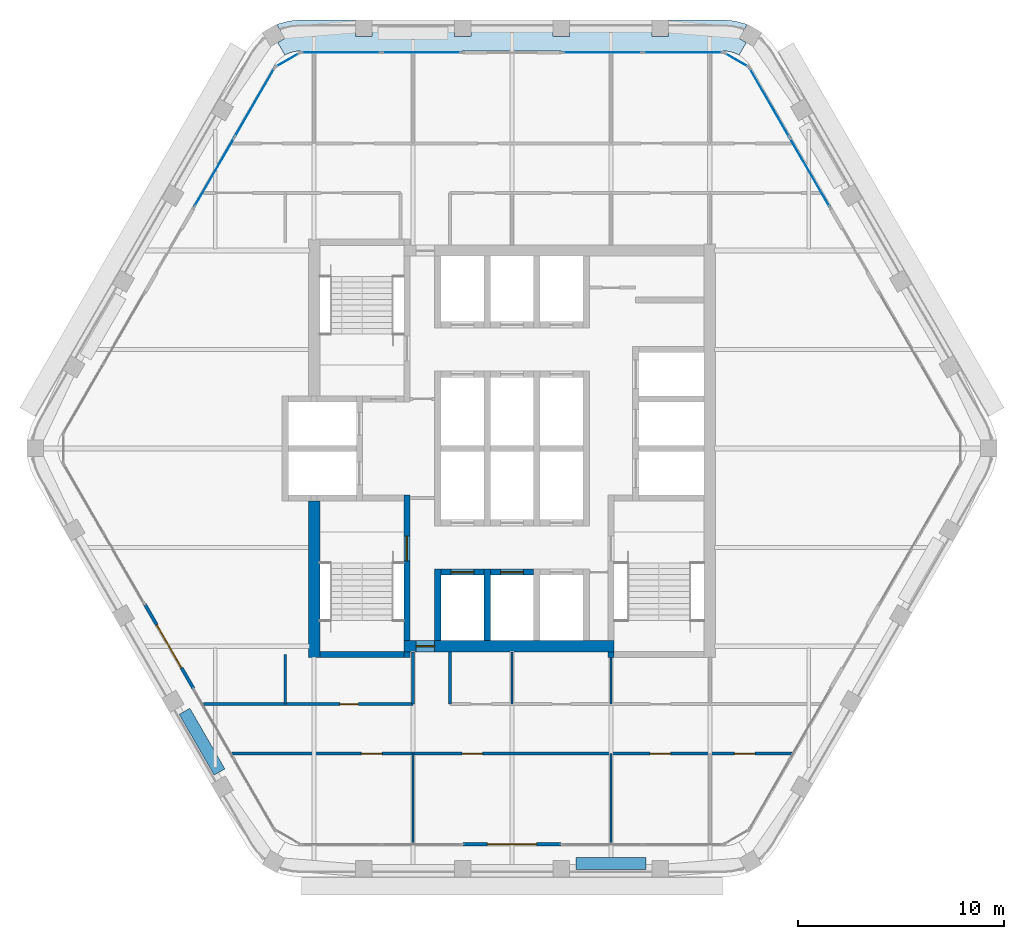
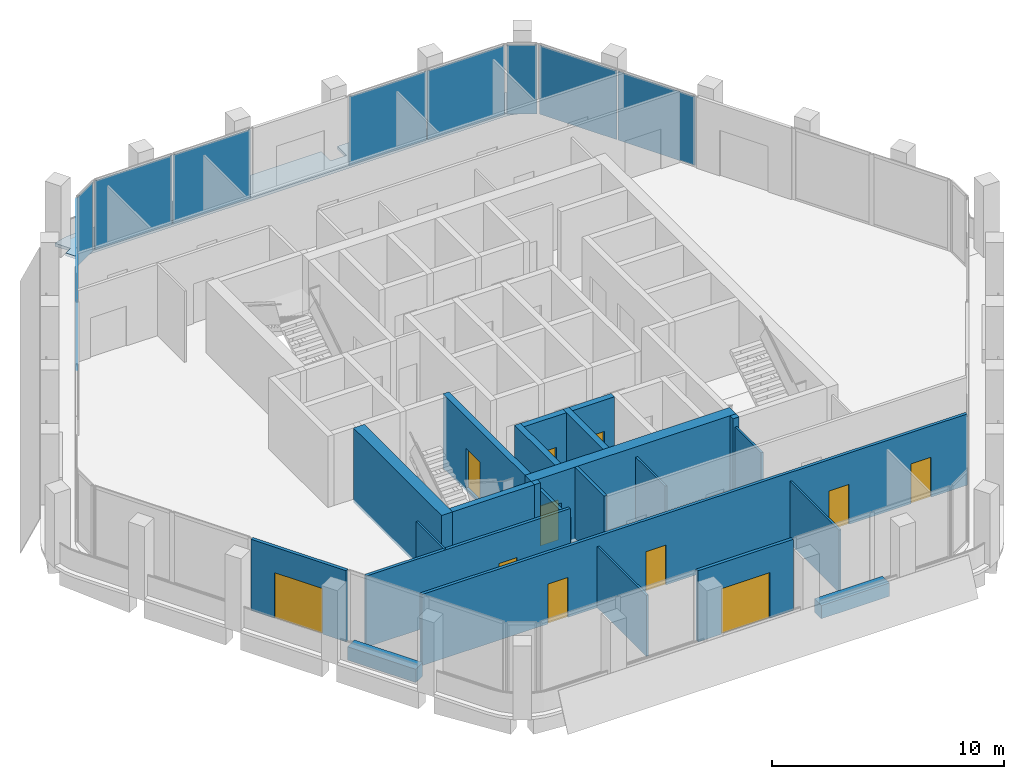
# One storey, part 7 of 14: 23 walls, 11 doors, 10 plates, 1 slab, 11 openings, 6 elements without a shape of their own.
"""IFC4 building model written with IfcOpenShell, lengths in metres."""

from ifc_helpers import new_model, si_unit, direction, frame, frame_2d, origin, origin_2d, place, context, subcontext, project, spatial, polyline, rectangle, outline, extrude, material, layer, layer_set, type_object, element, fill, aggregate, save


model = new_model("IFC4")

# Units and contexts
model_context = context("Model", 3, precision=1e-05, world=origin(), true_north=direction((0.0, 1.0)))
body_context = subcontext(model_context, "Body", "Model", "MODEL_VIEW")
ifc_project = project(units=[si_unit("LENGTHUNIT", "METRE"), si_unit("AREAUNIT", "SQUARE_METRE"), si_unit("VOLUMEUNIT", "CUBIC_METRE"), si_unit("PLANEANGLEUNIT", "RADIAN"), si_unit("MASSUNIT", "GRAM", prefix="KILO")], contexts=[model_context])

# Site, building, storey
site_placement = place(None, origin())
site = spatial("IfcSite", under=ifc_project, at=site_placement, CompositionType="ELEMENT")
building_placement = place(site_placement, origin())
building = spatial("IfcBuilding", under=site, at=building_placement, Name="Kolab Exchange Tower", CompositionType="ELEMENT")
storey_placement = place(building_placement, frame((0.0, 0.0, 242.300048828125)))
storey = spatial("IfcBuildingStorey", under=building, at=storey_placement, Name="L53", CompositionType="ELEMENT", Elevation=242.300048828125)

# Slab
ifc_material_1 = material(Name="Concrete C35/45", Category="concrete")
ifc_layer_1 = layer(ifc_material_1, 0.14990234375)
ifc_layer_set_1 = layer_set([ifc_layer_1], Name="Concrete C35/45")
slab_type = type_object("IfcSlabType", Name="LOGGIA SLAB 150", PredefinedType="FLOOR", material=ifc_layer_set_1)
slab_placement = place(storey_placement, frame((0.0, 0.0, -0.150146484375)))
element("IfcSlab", 1, at=slab_placement, inside=storey, type_object=slab_type, Name="slab/L53/loggia/0-0", PredefinedType="FLOOR", context=body_context, shape_type="SweptSolid", body=[
    extrude(outline(polyline([(11.01806640625, 19.083740234375), (11.367919921875, 19.68994140625), (11.021484375, 19.889892578125), (11.404052734375, 20.552490234375), (11.2939453125, 20.603759765625), (10.788818359375, 20.739013671875), (10.26806640625, 20.78466796875), (7.60009765625, 20.78466796875), (7.60009765625, 19.984619140625), (6.800048828125, 19.984619140625), (6.800048828125, 20.78466796875), (2.800048828125, 20.78466796875), (2.800048828125, 19.984619140625), (2.0, 19.984619140625), (2.0, 20.78466796875), (-2.0, 20.78466796875), (-2.0, 19.984619140625), (-2.800048828125, 19.984619140625), (-2.800048828125, 20.78466796875), (-6.800048828125, 20.78466796875), (-6.800048828125, 19.984619140625), (-7.60009765625, 19.984619140625), (-7.60009765625, 20.78466796875), (-10.26806640625, 20.78466796875), (-10.788818359375, 20.739013671875), (-11.2939453125, 20.603759765625), (-11.404052734375, 20.552490234375), (-11.021484375, 19.889892578125), (-11.367919921875, 19.68994140625), (-11.01806640625, 19.083740234375), (-10.781005859375, 19.194091796875), (-10.5283203125, 19.26171875), (-10.26806640625, 19.28466796875), (10.26806640625, 19.28466796875), (10.5283203125, 19.26171875), (10.781005859375, 19.194091796875), (11.01806640625, 19.083740234375)])), origin(), (0.0, 0.0, 1.0), 0.150146484375),
])

# Curtain wall, plates
ifc_material_2 = material(Name="Aluminium EN AW-6063 T6", Category="aluminium")
curtain_wall_type = type_object("IfcCurtainWallType", Name="UNITISED HIGH ZONE CURTAIN WALL", PredefinedType="NOTDEFINED", material=ifc_material_2)
curtain_wall_1_placement = place(storey_placement, origin())
curtain_wall_1 = element("IfcCurtainWall", 2, at=curtain_wall_1_placement, inside=storey, type_object=curtain_wall_type, Name="cw/L53/F1-1", PredefinedType="NOTDEFINED")
ifc_material_3 = material(Name="Clear insulated glazing unit", Category="glass")
ifc_layer_2 = layer(ifc_material_3, 0.030029296875)
ifc_layer_set_2 = layer_set([ifc_layer_2], Name="Clear insulated glazing unit")
plate_type = type_object("IfcPlateType", Name="UNITISED HIGH ZONE GLASS PANEL 30", PredefinedType="CURTAIN_PANEL", material=ifc_layer_set_2)
plate_1_placement = place(storey_placement, frame((-8.285888671875, 19.20458984375, 0.06005859375), z_axis=(0.0, 0.0, 1.0), x_axis=(1.0, 0.0, 0.0)))
plate_1 = element("IfcPlate", 3, at=plate_1_placement, type_object=plate_type, Name="CW4 panel 1.1", PredefinedType="CURTAIN_PANEL", context=body_context, shape_type="SweptSolid", body=[
    extrude(rectangle(XDim=3.843994140625, YDim=0.030029296875, at=origin_2d()), origin(), (0.0, 0.0, 1.0), 3.6298828125),
])
plate_2_placement = place(storey_placement, frame((-4.382080078125, 19.20458984375, 0.06005859375), z_axis=(0.0, 0.0, 1.0), x_axis=(1.0, 0.0, 0.0)))
plate_2 = element("IfcPlate", 4, at=plate_2_placement, type_object=plate_type, Name="CW4 panel 2.1", PredefinedType="CURTAIN_PANEL", context=body_context, shape_type="SweptSolid", body=[
    extrude(rectangle(XDim=3.843994140625, YDim=0.030029296875, at=origin_2d()), origin(), (0.0, 0.0, 1.0), 3.6298828125),
])
aggregate(curtain_wall_1, [plate_1, plate_2])

curtain_wall_2_placement = place(storey_placement, origin())
curtain_wall_2 = element("IfcCurtainWall", 5, at=curtain_wall_2_placement, inside=storey, type_object=curtain_wall_type, Name="cw/L53/F1-2", PredefinedType="NOTDEFINED")
plate_3_placement = place(storey_placement, frame((4.382080078125, 19.20458984375, 0.06005859375), z_axis=(0.0, 0.0, 1.0), x_axis=(1.0, 0.0, 0.0)))
plate_3 = element("IfcPlate", 6, at=plate_3_placement, type_object=plate_type, Name="CW4 panel 1.1", PredefinedType="CURTAIN_PANEL", context=body_context, shape_type="SweptSolid", body=[
    extrude(rectangle(XDim=3.843994140625, YDim=0.030029296875, at=origin_2d()), origin(), (0.0, 0.0, 1.0), 3.6298828125),
])
plate_4_placement = place(storey_placement, frame((8.285888671875, 19.20458984375, 0.06005859375), z_axis=(0.0, 0.0, 1.0), x_axis=(1.0, 0.0, 0.0)))
plate_4 = element("IfcPlate", 7, at=plate_4_placement, type_object=plate_type, Name="CW4 panel 2.1", PredefinedType="CURTAIN_PANEL", context=body_context, shape_type="SweptSolid", body=[
    extrude(rectangle(XDim=3.843994140625, YDim=0.030029296875, at=origin_2d()), origin(), (0.0, 0.0, 1.0), 3.6298828125),
])
aggregate(curtain_wall_2, [plate_3, plate_4])

curtain_wall_3_placement = place(storey_placement, origin())
curtain_wall_3 = element("IfcCurtainWall", 8, at=curtain_wall_3_placement, inside=storey, type_object=curtain_wall_type, Name="cw/L53/F2-1", PredefinedType="NOTDEFINED")
plate_5_placement = place(storey_placement, frame((12.48876953125, 16.778076171875, 0.06005859375), z_axis=(0.0, 0.0, 1.0), x_axis=(0.500000031681, -0.866025385493, 0.0)))
plate_5 = element("IfcPlate", 9, at=plate_5_placement, type_object=plate_type, Name="CW4 panel 1.1", PredefinedType="CURTAIN_PANEL", context=body_context, shape_type="SweptSolid", body=[
    extrude(rectangle(XDim=3.843994140625, YDim=0.030029296875, at=origin_2d()), origin(), (0.0, 0.0, 1.0), 3.6298828125),
])
plate_6_placement = place(storey_placement, frame((14.440673828125, 13.397216796875, 0.06005859375), z_axis=(0.0, 0.0, 1.0), x_axis=(0.500000031681, -0.866025385493, 0.0)))
plate_6 = element("IfcPlate", 10, at=plate_6_placement, type_object=plate_type, Name="CW4 panel 2.1", PredefinedType="CURTAIN_PANEL", context=body_context, shape_type="SweptSolid", body=[
    extrude(rectangle(XDim=3.843994140625, YDim=0.030029296875, at=origin_2d()), origin(), (0.0, 0.0, 1.0), 3.6298828125),
])
aggregate(curtain_wall_3, [plate_5, plate_6])

curtain_wall_4_placement = place(storey_placement, origin())
curtain_wall_4 = element("IfcCurtainWall", 11, at=curtain_wall_4_placement, inside=storey, type_object=curtain_wall_type, Name="cw/L53/F6-2", PredefinedType="NOTDEFINED")
plate_7_placement = place(storey_placement, frame((-14.440673828125, 13.397216796875, 0.06005859375), z_axis=(0.0, 0.0, 1.0), x_axis=(0.500000031681, 0.866025385493, 0.0)))
plate_7 = element("IfcPlate", 12, at=plate_7_placement, type_object=plate_type, Name="CW4 panel 1.1", PredefinedType="CURTAIN_PANEL", context=body_context, shape_type="SweptSolid", body=[
    extrude(rectangle(XDim=3.843994140625, YDim=0.030029296875, at=origin_2d()), origin(), (0.0, 0.0, 1.0), 3.6298828125),
])
plate_8_placement = place(storey_placement, frame((-12.48876953125, 16.778076171875, 0.06005859375), z_axis=(0.0, 0.0, 1.0), x_axis=(0.500000031681, 0.866025385493, 0.0)))
plate_8 = element("IfcPlate", 13, at=plate_8_placement, type_object=plate_type, Name="CW4 panel 2.1", PredefinedType="CURTAIN_PANEL", context=body_context, shape_type="SweptSolid", body=[
    extrude(rectangle(XDim=3.843994140625, YDim=0.030029296875, at=origin_2d()), origin(), (0.0, 0.0, 1.0), 3.6298828125),
])
aggregate(curtain_wall_4, [plate_7, plate_8])

# Curtain wall, plate
curtain_wall_5_placement = place(storey_placement, origin())
curtain_wall_5 = element("IfcCurtainWall", 14, at=curtain_wall_5_placement, inside=storey, type_object=curtain_wall_type, Name="cw/L53/F1F2-corner", PredefinedType="NOTDEFINED")
plate_9_placement = place(storey_placement, frame((10.8828125, 18.849609375, 0.06005859375), z_axis=(0.0, 0.0, 1.0), x_axis=(0.866025390869, -0.50000002237, 0.0)))
plate_9 = element("IfcPlate", 15, at=plate_9_placement, type_object=plate_type, Name="CW4 panel 1.1", PredefinedType="CURTAIN_PANEL", context=body_context, shape_type="SweptSolid", body=[
    extrude(rectangle(XDim=1.300048828125, YDim=0.030029296875, at=origin_2d()), origin(), (0.0, 0.0, 1.0), 3.6298828125),
])
aggregate(curtain_wall_5, [plate_9])

curtain_wall_6_placement = place(storey_placement, origin())
curtain_wall_6 = element("IfcCurtainWall", 16, at=curtain_wall_6_placement, inside=storey, type_object=curtain_wall_type, Name="cw/L53/F6F1-corner", PredefinedType="NOTDEFINED")
plate_10_placement = place(storey_placement, frame((-10.8828125, 18.849609375, 0.06005859375), z_axis=(0.0, 0.0, 1.0), x_axis=(0.866025390869, 0.50000002237, 0.0)))
plate_10 = element("IfcPlate", 17, at=plate_10_placement, type_object=plate_type, Name="CW4 panel 1.1", PredefinedType="CURTAIN_PANEL", context=body_context, shape_type="SweptSolid", body=[
    extrude(rectangle(XDim=1.300048828125, YDim=0.030029296875, at=origin_2d()), origin(), (0.0, 0.0, 1.0), 3.6298828125),
])
aggregate(curtain_wall_6, [plate_10])

# Wall, opening, door
ifc_material_4 = material(Name="Concrete C50/60", Category="concrete")
ifc_layer_3 = layer(ifc_material_4, 0.550048828125)
ifc_layer_set_3 = layer_set([ifc_layer_3], Name="Concrete C50/60")
wall_type_1 = type_object("IfcWallType", Name="CORE WALL 550 C50/60", PredefinedType="SHEAR", material=ifc_layer_set_3)
wall_1_placement = place(storey_placement, frame((-5.25, -9.60009765625, -0.150146484375), z_axis=(0.0, 0.0, 1.0), x_axis=(1.0, 0.0, 0.0)))
wall_1 = element("IfcWall", 18, at=wall_1_placement, inside=storey, type_object=wall_type_1, Name="wall/L53/core/002", PredefinedType="SHEAR", context=body_context, shape_type="SweptSolid", body=[
    extrude(rectangle(XDim=10.199951171875, YDim=0.550048828125, at=frame_2d((5.10009765625, 0.0))), origin(), (0.0, 0.0, 1.0), 3.900146484375),
])
opening_1_placement = place(wall_1_placement, frame((0.60009765625, 0.0, 0.14990234375)))
opening_1 = element("IfcOpeningElement", 19, at=opening_1_placement, cuts=wall_1, Name="Opening D6-297", PredefinedType="OPENING", context=body_context, shape_type="SweptSolid", body=[
    extrude(rectangle(XDim=0.89990234375, YDim=2.10009765625, at=frame_2d((0.449951171875, 1.050048828125))), frame((0.0, 0.28515625, 0.0), z_axis=(0.0, -1.0, 0.0), x_axis=(1.0, 0.0, 0.0)), (0.0, 0.0, 1.0), 0.570068359375),
])
ifc_material_5 = material(Name="Steel S235", Category="steel")
door_type_1 = type_object("IfcDoorType", Name="CORE DOOR 900 EI 120", OperationType="SINGLE_SWING_LEFT", PredefinedType="DOOR", material=ifc_material_5)
door_1_placement = place(opening_1_placement, origin())
door_1 = element("IfcDoor", 20, at=door_1_placement, inside=storey, type_object=door_type_1, Name="Core lobby door", OperationType="SINGLE_SWING_RIGHT", OverallHeight=2.10009765625, OverallWidth=0.89990234375, PredefinedType="DOOR", context=body_context, shape_type="SweptSolid", body=[
    extrude(rectangle(XDim=0.89990234375, YDim=2.10009765625, at=frame_2d((0.449951171875, 1.050048828125))), frame((0.0, 0.02490234375, 0.0), z_axis=(0.0, -1.0, 0.0), x_axis=(1.0, 0.0, 0.0)), (0.0, 0.0, 1.0), 0.050048828125),
])
fill(opening_1, door_1)

# Wall
wall_2_placement = place(storey_placement, frame((-9.60009765625, -10.14990234375, -0.150146484375), z_axis=(0.0, 0.0, 1.0), x_axis=(0.0, 1.0, 0.0)))
element("IfcWall", 21, at=wall_2_placement, inside=storey, type_object=wall_type_1, Name="wall/L53/core/034", PredefinedType="SHEAR", context=body_context, shape_type="SweptSolid", body=[
    extrude(rectangle(XDim=7.599853515625, YDim=0.550048828125, at=frame_2d((3.7998046875, 0.0))), origin(), (0.0, 0.0, 1.0), 3.900146484375),
])

# Wall, opening, door
ifc_layer_4 = layer(ifc_material_2, 0.159912109375)
ifc_layer_set_4 = layer_set([ifc_layer_4], Name="Aluminium EN AW-6063 T6")
wall_type_2 = type_object("IfcWallType", Name="DOOR SURROUND WALL 160 ALUMINIUM FRAMED", PredefinedType="PARTITIONING", material=ifc_layer_set_4)
wall_3_placement = place(storey_placement, frame((2.3701171875, -19.20458984375, 0.0), z_axis=(0.0, 0.0, 1.0), x_axis=(-1.0, 0.0, 0.0)))
wall_3 = element("IfcWall", 22, at=wall_3_placement, inside=storey, type_object=wall_type_2, Name="Door surround wall", PredefinedType="PARTITIONING", context=body_context, shape_type="SweptSolid", body=[
    extrude(rectangle(XDim=4.740234375, YDim=0.159912109375, at=frame_2d((2.3701171875, 0.0))), origin(), (0.0, 0.0, 1.0), 3.75),
])
opening_2_placement = place(wall_3_placement, frame((1.169921875, 0.0, 0.0)))
opening_2 = element("IfcOpeningElement", 23, at=opening_2_placement, cuts=wall_3, Name="Opening GD1-092", PredefinedType="OPENING", context=body_context, shape_type="SweptSolid", body=[
    extrude(rectangle(XDim=2.39990234375, YDim=2.39990234375, at=frame_2d((1.199951171875, 1.199951171875))), frame((0.0, 0.08984375, 0.0), z_axis=(0.0, -1.0, 0.0), x_axis=(1.0, 0.0, 0.0)), (0.0, 0.0, 1.0), 0.179931640625),
])
door_type_2 = type_object("IfcDoorType", Name="LOGGIA SLIDING GLASS DOOR 2400 X 2400", OperationType="DOUBLE_DOOR_SINGLE_SWING", PredefinedType="DOOR", material=ifc_material_2)
door_2_placement = place(opening_2_placement, origin())
door_2 = element("IfcDoor", 24, at=door_2_placement, inside=storey, type_object=door_type_2, Name="Loggia door", OperationType="DOUBLE_DOOR_SLIDING", OverallHeight=2.39990234375, OverallWidth=2.39990234375, PredefinedType="DOOR", context=body_context, shape_type="SweptSolid", body=[
    extrude(rectangle(XDim=2.39990234375, YDim=2.39990234375, at=frame_2d((1.199951171875, 1.199951171875))), frame((0.0, 0.02490234375, 0.0), z_axis=(0.0, -1.0, 0.0), x_axis=(1.0, 0.0, 0.0)), (0.0, 0.0, 1.0), 0.050048828125),
])
fill(opening_2, door_2)

wall_4_placement = place(storey_placement, frame((-15.44677734375, -11.65478515625, 0.0), z_axis=(0.0, 0.0, 1.0), x_axis=(-0.499978080042, 0.866038058908, 0.0)))
wall_4 = element("IfcWall", 25, at=wall_4_placement, inside=storey, type_object=wall_type_2, Name="Door surround wall", PredefinedType="PARTITIONING", context=body_context, shape_type="SweptSolid", body=[
    extrude(rectangle(XDim=4.739990234375, YDim=0.159912109375, at=frame_2d((2.3701171875, 0.0))), origin(), (0.0, 0.0, 1.0), 3.75),
])
opening_3_placement = place(wall_4_placement, frame((1.169921875, 0.0, 0.0)))
opening_3 = element("IfcOpeningElement", 26, at=opening_3_placement, cuts=wall_4, Name="Opening GD1-093", PredefinedType="OPENING", context=body_context, shape_type="SweptSolid", body=[
    extrude(rectangle(XDim=2.39990234375, YDim=2.39990234375, at=frame_2d((1.199951171875, 1.199951171875))), frame((0.0, 0.08984375, 0.0), z_axis=(0.0, -1.0, 0.0), x_axis=(1.0, 0.0, 0.0)), (0.0, 0.0, 1.0), 0.179931640625),
])
door_3_placement = place(opening_3_placement, origin())
door_3 = element("IfcDoor", 27, at=door_3_placement, inside=storey, type_object=door_type_2, Name="Loggia door", OperationType="DOUBLE_DOOR_SLIDING", OverallHeight=2.39990234375, OverallWidth=2.39990234375, PredefinedType="DOOR", context=body_context, shape_type="SweptSolid", body=[
    extrude(rectangle(XDim=2.39990234375, YDim=2.39990234375, at=frame_2d((1.199951171875, 1.199951171875))), frame((0.0, 0.02490234375, 0.0), z_axis=(0.0, -1.0, 0.0), x_axis=(1.0, 0.0, 0.0)), (0.0, 0.0, 1.0), 0.050048828125),
])
fill(opening_3, door_3)

ifc_layer_5 = layer(ifc_material_4, 0.300048828125)
ifc_layer_set_5 = layer_set([ifc_layer_5], Name="Concrete C50/60")
wall_type_3 = type_object("IfcWallType", Name="LIFT SHAFT WALL 300 C50/60", PredefinedType="STANDARD", material=ifc_layer_set_5)
wall_5_placement = place(storey_placement, frame((-3.449951171875, -6.0, -0.150146484375), z_axis=(0.0, 0.0, 1.0), x_axis=(1.0, 0.0, 0.0)))
wall_5 = element("IfcWall", 28, at=wall_5_placement, inside=storey, type_object=wall_type_3, Name="wall/L53/core/003", PredefinedType="STANDARD", context=body_context, shape_type="SweptSolid", body=[
    extrude(rectangle(XDim=2.099853515625, YDim=0.300048828125, at=frame_2d((1.0498046875, 0.0))), origin(), (0.0, 0.0, 1.0), 3.900146484375),
])
opening_4_placement = place(wall_5_placement, frame((0.5, 0.0, 0.14990234375)))
opening_4 = element("IfcOpeningElement", 29, at=opening_4_placement, cuts=wall_5, Name="Opening LD1-110", PredefinedType="OPENING", context=body_context, shape_type="SweptSolid", body=[
    extrude(rectangle(XDim=1.10009765625, YDim=2.10009765625, at=frame_2d((0.550048828125, 1.050048828125))), frame((0.0, 0.16015625, 0.0), z_axis=(0.0, -1.0, 0.0), x_axis=(1.0, 0.0, 0.0)), (0.0, 0.0, 1.0), 0.320068359375),
])
ifc_material_6 = material(Name="Stainless steel 316", Category="steel")
door_type_3 = type_object("IfcDoorType", Name="LANDING DOOR 1100 PASSENGER", OperationType="DOUBLE_DOOR_SLIDING", PredefinedType="DOOR", material=ifc_material_6)
door_4_placement = place(opening_4_placement, origin())
door_4 = element("IfcDoor", 30, at=door_4_placement, inside=storey, type_object=door_type_3, Name="Landing door HR10", OperationType="DOUBLE_DOOR_SLIDING", OverallHeight=2.10009765625, OverallWidth=1.10009765625, PredefinedType="DOOR", context=body_context, shape_type="SweptSolid", body=[
    extrude(rectangle(XDim=1.10009765625, YDim=2.10009765625, at=frame_2d((0.550048828125, 1.050048828125))), frame((0.0, 0.02490234375, 0.0), z_axis=(0.0, -1.0, 0.0), x_axis=(1.0, 0.0, 0.0)), (0.0, 0.0, 1.0), 0.050048828125),
])
fill(opening_4, door_4)

wall_6_placement = place(storey_placement, frame((-1.050048828125, -6.0, -0.150146484375), z_axis=(0.0, 0.0, 1.0), x_axis=(1.0, 0.0, 0.0)))
wall_6 = element("IfcWall", 31, at=wall_6_placement, inside=storey, type_object=wall_type_3, Name="wall/L53/core/004", PredefinedType="STANDARD", context=body_context, shape_type="SweptSolid", body=[
    extrude(rectangle(XDim=2.10009765625, YDim=0.300048828125, at=frame_2d((1.050048828125, 0.0))), origin(), (0.0, 0.0, 1.0), 3.900146484375),
])
opening_5_placement = place(wall_6_placement, frame((0.5, 0.0, 0.14990234375)))
opening_5 = element("IfcOpeningElement", 32, at=opening_5_placement, cuts=wall_6, Name="Opening LD1-111", PredefinedType="OPENING", context=body_context, shape_type="SweptSolid", body=[
    extrude(rectangle(XDim=1.10009765625, YDim=2.10009765625, at=frame_2d((0.550048828125, 1.050048828125))), frame((0.0, 0.16015625, 0.0), z_axis=(0.0, -1.0, 0.0), x_axis=(1.0, 0.0, 0.0)), (0.0, 0.0, 1.0), 0.320068359375),
])
door_5_placement = place(opening_5_placement, origin())
door_5 = element("IfcDoor", 33, at=door_5_placement, inside=storey, type_object=door_type_3, Name="Landing door HR11", OperationType="DOUBLE_DOOR_SLIDING", OverallHeight=2.10009765625, OverallWidth=1.10009765625, PredefinedType="DOOR", context=body_context, shape_type="SweptSolid", body=[
    extrude(rectangle(XDim=1.10009765625, YDim=2.10009765625, at=frame_2d((0.550048828125, 1.050048828125))), frame((0.0, 0.02490234375, 0.0), z_axis=(0.0, -1.0, 0.0), x_axis=(1.0, 0.0, 0.0)), (0.0, 0.0, 1.0), 0.050048828125),
])
fill(opening_5, door_5)

# Walls
for number, where, z_axis, x_axis, name in (
    (34, (-3.60009765625, -9.324951171875, -0.150146484375), (0.0, 0.0, 1.0), (0.0, 1.0, 0.0), "wall/L53/core/043"),
    (35, (-1.199951171875, -9.324951171875, -0.150146484375), (0.0, 0.0, 1.0), (0.0, 1.0, 0.0), "wall/L53/core/046"),
):
    element("IfcWall", number, at=place(storey_placement, frame(where, z_axis=z_axis, x_axis=x_axis)), inside=storey, type_object=wall_type_3, Name=name, PredefinedType="STANDARD", context=body_context, shape_type="SweptSolid", body=[
        extrude(rectangle(XDim=3.474853515625, YDim=0.300048828125, at=frame_2d((1.7373046875, 0.0))), origin(), (0.0, 0.0, 1.0), 3.900146484375),
    ])
ifc_material_7 = material(Name="Gypsum board", Category="gypsum")
ifc_layer_6 = layer(ifc_material_7, 0.10009765625)
ifc_layer_set_6 = layer_set([ifc_layer_6], Name="Gypsum board")
wall_type_4 = type_object("IfcWallType", Name="PARTITION 100", PredefinedType="PARTITIONING", material=ifc_layer_set_6)
wall_7_placement = place(storey_placement, frame((4.800048828125, -19.114501953125, 0.0), z_axis=(0.0, 0.0, 1.0), x_axis=(0.0, 1.0, 0.0)))
element("IfcWall", 36, at=wall_7_placement, inside=storey, type_object=wall_type_4, Name="Partition 004", PredefinedType="PARTITIONING", context=body_context, shape_type="SweptSolid", body=[
    extrude(rectangle(XDim=4.314453125, YDim=0.10009765625, at=frame_2d((2.1572265625, 0.0))), origin(), (0.0, 0.0, 1.0), 3.29296875),
])
wall_8_placement = place(storey_placement, frame((4.800048828125, -12.39990234375, 0.0), z_axis=(0.0, 0.0, 1.0), x_axis=(0.0, 1.0, 0.0)))
element("IfcWall", 37, at=wall_8_placement, inside=storey, type_object=wall_type_4, Name="Partition 005", PredefinedType="PARTITIONING", context=body_context, shape_type="SweptSolid", body=[
    extrude(rectangle(XDim=2.25, YDim=0.10009765625, at=frame_2d((1.125, 0.0))), origin(), (0.0, 0.0, 1.0), 3.29296875),
])
wall_9_placement = place(storey_placement, frame((0.0, -12.39990234375, 0.0), z_axis=(0.0, 0.0, 1.0), x_axis=(0.0, 1.0, 0.0)))
element("IfcWall", 38, at=wall_9_placement, inside=storey, type_object=wall_type_4, Name="Partition 008", PredefinedType="PARTITIONING", context=body_context, shape_type="SweptSolid", body=[
    extrude(rectangle(XDim=2.52490234375, YDim=0.10009765625, at=frame_2d((1.262451171875, 0.0))), origin(), (0.0, 0.0, 1.0), 3.217041015625),
])
wall_10_placement = place(storey_placement, frame((-4.800048828125, -19.114501953125, 0.0), z_axis=(0.0, 0.0, 1.0), x_axis=(0.0, 1.0, 0.0)))
element("IfcWall", 39, at=wall_10_placement, inside=storey, type_object=wall_type_4, Name="Partition 012", PredefinedType="PARTITIONING", context=body_context, shape_type="SweptSolid", body=[
    extrude(rectangle(XDim=4.314453125, YDim=0.10009765625, at=frame_2d((2.1572265625, 0.0))), origin(), (0.0, 0.0, 1.0), 3.217041015625),
])
wall_11_placement = place(storey_placement, frame((-11.0, -12.39990234375, 0.0), z_axis=(0.0, 0.0, 1.0), x_axis=(0.0, 1.0, 0.0)))
element("IfcWall", 40, at=wall_11_placement, inside=storey, type_object=wall_type_4, Name="Partition 017", PredefinedType="PARTITIONING", context=body_context, shape_type="SweptSolid", body=[
    extrude(rectangle(XDim=2.39990234375, YDim=0.10009765625, at=frame_2d((1.199951171875, 0.0))), origin(), (0.0, 0.0, 1.0), 3.75),
])
ifc_layer_7 = layer(ifc_material_7, 0.14990234375)
ifc_layer_set_7 = layer_set([ifc_layer_7], Name="Gypsum board")
wall_type_5 = type_object("IfcWallType", Name="PARTITION 150 FIRE-RATED", PredefinedType="PARTITIONING", material=ifc_layer_set_7)
wall_12_placement = place(storey_placement, frame((-3.0, -12.39990234375, 0.0), z_axis=(0.0, 0.0, 1.0), x_axis=(0.0, 1.0, 0.0)))
element("IfcWall", 41, at=wall_12_placement, inside=storey, type_object=wall_type_5, Name="Partition 010", PredefinedType="PARTITIONING", context=body_context, shape_type="SweptSolid", body=[
    extrude(rectangle(XDim=2.52490234375, YDim=0.14990234375, at=frame_2d((1.262451171875, 0.0))), origin(), (0.0, 0.0, 1.0), 3.75),
])
wall_13_placement = place(storey_placement, frame((-4.800048828125, -12.39990234375, 0.0), z_axis=(0.0, 0.0, 1.0), x_axis=(0.0, 1.0, 0.0)))
element("IfcWall", 42, at=wall_13_placement, inside=storey, type_object=wall_type_5, Name="Partition 014", PredefinedType="PARTITIONING", context=body_context, shape_type="SweptSolid", body=[
    extrude(rectangle(XDim=2.52490234375, YDim=0.14990234375, at=frame_2d((1.262451171875, 0.0))), origin(), (0.0, 0.0, 1.0), 3.217041015625),
])

# Wall, openings, doors
wall_14_placement = place(storey_placement, frame((-13.584716796875, -14.800048828125, 0.0), z_axis=(0.0, 0.0, 1.0), x_axis=(1.0, 0.0, 0.0)))
wall_14 = element("IfcWall", 43, at=wall_14_placement, inside=storey, type_object=wall_type_5, Name="Partition 019", PredefinedType="PARTITIONING", context=body_context, shape_type="SweptSolid", body=[
    extrude(rectangle(XDim=27.16943359375, YDim=0.14990234375, at=frame_2d((13.584716796875, 0.0))), origin(), (0.0, 0.0, 1.0), 3.75),
])
opening_6_placement = place(wall_14_placement, frame((6.281005859375, 0.0, 0.0)))
opening_6 = element("IfcOpeningElement", 44, at=opening_6_placement, cuts=wall_14, Name="Opening D1-682", PredefinedType="OPENING", context=body_context, shape_type="SweptSolid", body=[
    extrude(rectangle(XDim=1.0, YDim=2.10009765625, at=frame_2d((0.5, 1.050048828125))), frame((0.0, 0.0849609375, 0.0), z_axis=(0.0, -1.0, 0.0), x_axis=(1.0, 0.0, 0.0)), (0.0, 0.0, 1.0), 0.169921875),
])
opening_7_placement = place(wall_14_placement, frame((11.15966796875, 0.0, 0.0)))
opening_7 = element("IfcOpeningElement", 45, at=opening_7_placement, cuts=wall_14, Name="Opening D1-683", PredefinedType="OPENING", context=body_context, shape_type="SweptSolid", body=[
    extrude(rectangle(XDim=1.0, YDim=2.10009765625, at=frame_2d((0.5, 1.050048828125))), frame((0.0, 0.0849609375, 0.0), z_axis=(0.0, -1.0, 0.0), x_axis=(1.0, 0.0, 0.0)), (0.0, 0.0, 1.0), 0.169921875),
])
opening_8_placement = place(wall_14_placement, frame((20.28466796875, 0.0, 0.0)))
opening_8 = element("IfcOpeningElement", 46, at=opening_8_placement, cuts=wall_14, Name="Opening D1-684", PredefinedType="OPENING", context=body_context, shape_type="SweptSolid", body=[
    extrude(rectangle(XDim=1.0, YDim=2.10009765625, at=frame_2d((0.5, 1.050048828125))), frame((0.0, 0.0849609375, 0.0), z_axis=(0.0, -1.0, 0.0), x_axis=(1.0, 0.0, 0.0)), (0.0, 0.0, 1.0), 0.169921875),
])
opening_9_placement = place(wall_14_placement, frame((24.36767578125, 0.0, 0.0)))
opening_9 = element("IfcOpeningElement", 47, at=opening_9_placement, cuts=wall_14, Name="Opening D1-685", PredefinedType="OPENING", context=body_context, shape_type="SweptSolid", body=[
    extrude(rectangle(XDim=1.0, YDim=2.10009765625, at=frame_2d((0.5, 1.050048828125))), frame((0.0, 0.0849609375, 0.0), z_axis=(0.0, -1.0, 0.0), x_axis=(1.0, 0.0, 0.0)), (0.0, 0.0, 1.0), 0.169921875),
])
door_type_4 = type_object("IfcDoorType", Name="FLUSH DOOR 1000 FD60", OperationType="SINGLE_SWING_LEFT", PredefinedType="DOOR", material=ifc_material_5)
door_6_placement = place(opening_6_placement, frame((1.0, 0.0, 0.0), z_axis=(0.0, 0.0, 1.0), x_axis=(-1.0, 0.0, 0.0)))
door_6 = element("IfcDoor", 48, at=door_6_placement, inside=storey, type_object=door_type_4, Name="Door L53-044", OperationType="SINGLE_SWING_RIGHT", OverallHeight=2.10009765625, OverallWidth=1.0, PredefinedType="DOOR", context=body_context, shape_type="SweptSolid", body=[
    extrude(rectangle(XDim=1.0, YDim=2.10009765625, at=frame_2d((0.5, 1.050048828125))), frame((0.0, 0.02490234375, 0.0), z_axis=(0.0, -1.0, 0.0), x_axis=(1.0, 0.0, 0.0)), (0.0, 0.0, 1.0), 0.050048828125),
])
fill(opening_6, door_6)
door_7_placement = place(opening_7_placement, frame((1.0, 0.0, 0.0), z_axis=(0.0, 0.0, 1.0), x_axis=(-1.0, 0.0, 0.0)))
door_7 = element("IfcDoor", 49, at=door_7_placement, inside=storey, type_object=door_type_4, Name="Door L53-045", OperationType="SINGLE_SWING_LEFT", OverallHeight=2.10009765625, OverallWidth=1.0, PredefinedType="DOOR", context=body_context, shape_type="SweptSolid", body=[
    extrude(rectangle(XDim=1.0, YDim=2.10009765625, at=frame_2d((0.5, 1.050048828125))), frame((0.0, 0.02490234375, 0.0), z_axis=(0.0, -1.0, 0.0), x_axis=(1.0, 0.0, 0.0)), (0.0, 0.0, 1.0), 0.050048828125),
])
fill(opening_7, door_7)
door_8_placement = place(opening_8_placement, frame((1.0, 0.0, 0.0), z_axis=(0.0, 0.0, 1.0), x_axis=(-1.0, 0.0, 0.0)))
door_8 = element("IfcDoor", 50, at=door_8_placement, inside=storey, type_object=door_type_4, Name="Door L53-046", OperationType="SINGLE_SWING_RIGHT", OverallHeight=2.10009765625, OverallWidth=1.0, PredefinedType="DOOR", context=body_context, shape_type="SweptSolid", body=[
    extrude(rectangle(XDim=1.0, YDim=2.10009765625, at=frame_2d((0.5, 1.050048828125))), frame((0.0, 0.02490234375, 0.0), z_axis=(0.0, -1.0, 0.0), x_axis=(1.0, 0.0, 0.0)), (0.0, 0.0, 1.0), 0.050048828125),
])
fill(opening_8, door_8)
door_9_placement = place(opening_9_placement, frame((1.0, 0.0, 0.0), z_axis=(0.0, 0.0, 1.0), x_axis=(-1.0, 0.0, 0.0)))
door_9 = element("IfcDoor", 51, at=door_9_placement, inside=storey, type_object=door_type_4, Name="Door L53-047", OperationType="SINGLE_SWING_LEFT", OverallHeight=2.10009765625, OverallWidth=1.0, PredefinedType="DOOR", context=body_context, shape_type="SweptSolid", body=[
    extrude(rectangle(XDim=1.0, YDim=2.10009765625, at=frame_2d((0.5, 1.050048828125))), frame((0.0, 0.02490234375, 0.0), z_axis=(0.0, -1.0, 0.0), x_axis=(1.0, 0.0, 0.0)), (0.0, 0.0, 1.0), 0.050048828125),
])
fill(opening_9, door_9)

# Wall, opening, door
wall_15_placement = place(storey_placement, frame((-14.97021484375, -12.39990234375, 0.0), z_axis=(0.0, 0.0, 1.0), x_axis=(1.0, 0.0, 0.0)))
wall_15 = element("IfcWall", 52, at=wall_15_placement, inside=storey, type_object=wall_type_5, Name="Partition 020", PredefinedType="PARTITIONING", context=body_context, shape_type="SweptSolid", body=[
    extrude(rectangle(XDim=10.170166015625, YDim=0.14990234375, at=frame_2d((5.0849609375, 0.0))), origin(), (0.0, 0.0, 1.0), 3.75),
])
opening_10_placement = place(wall_15_placement, frame((6.6201171875, 0.0, 0.0)))
opening_10 = element("IfcOpeningElement", 53, at=opening_10_placement, cuts=wall_15, Name="Opening D3-081", PredefinedType="OPENING", context=body_context, shape_type="SweptSolid", body=[
    extrude(rectangle(XDim=0.89990234375, YDim=2.10009765625, at=frame_2d((0.449951171875, 1.050048828125))), frame((0.0, 0.0849609375, 0.0), z_axis=(0.0, -1.0, 0.0), x_axis=(1.0, 0.0, 0.0)), (0.0, 0.0, 1.0), 0.169921875),
])
door_type_5 = type_object("IfcDoorType", Name="FLUSH DOOR 900 FD60", OperationType="SINGLE_SWING_LEFT", PredefinedType="DOOR", material=ifc_material_5)
door_10_placement = place(opening_10_placement, origin())
door_10 = element("IfcDoor", 54, at=door_10_placement, inside=storey, type_object=door_type_5, Name="Door L53-038", OperationType="SINGLE_SWING_LEFT", OverallHeight=2.10009765625, OverallWidth=0.89990234375, PredefinedType="DOOR", context=body_context, shape_type="SweptSolid", body=[
    extrude(rectangle(XDim=0.89990234375, YDim=2.10009765625, at=frame_2d((0.449951171875, 1.050048828125))), frame((0.0, 0.02490234375, 0.0), z_axis=(0.0, -1.0, 0.0), x_axis=(1.0, 0.0, 0.0)), (0.0, 0.0, 1.0), 0.050048828125),
])
fill(opening_10, door_10)

# Walls
ifc_material_8 = material(Name="Granite facing", Category="masonry")
ifc_layer_8 = layer(ifc_material_8, 0.0400390625)
ifc_material_9 = material(Name="Concrete C40/50 precast", Category="concrete")
ifc_layer_9 = layer(ifc_material_9, 0.56005859375)
ifc_layer_set_8 = layer_set([ifc_layer_8, ifc_layer_9], Name="Concrete C40/50 precast")
wall_type_6 = type_object("IfcWallType", Name="PLANTER BOX 600 X 700 SOIL DEPTH 550", PredefinedType="USERDEFINED", material=ifc_layer_set_8)
wall_16_placement = place(storey_placement, frame((6.5, -20.134521484375, 0.0), z_axis=(0.0, 0.0, 1.0), x_axis=(-1.0, 0.0, 0.0)))
element("IfcWall", 55, at=wall_16_placement, inside=storey, type_object=wall_type_6, Name="Planter", ObjectType="PLANTER", PredefinedType="USERDEFINED", context=body_context, shape_type="SweptSolid", body=[
    extrude(rectangle(XDim=3.39990234375, YDim=0.60009765625, at=frame_2d((1.699951171875, 0.0))), origin(), (0.0, 0.0, 1.0), 0.699951171875),
])
wall_17_placement = place(storey_placement, frame((-14.18701171875, -15.696533203125, 0.0), z_axis=(0.0, 0.0, 1.0), x_axis=(-0.499977295307, 0.866038511948, 0.0)))
element("IfcWall", 56, at=wall_17_placement, inside=storey, type_object=wall_type_6, Name="Planter", ObjectType="PLANTER", PredefinedType="USERDEFINED", context=body_context, shape_type="SweptSolid", body=[
    extrude(rectangle(XDim=3.400146484375, YDim=0.60009765625, at=frame_2d((1.7001953125, 0.0))), origin(), (0.0, 0.0, 1.0), 0.699951171875),
])
ifc_layer_10 = layer(ifc_material_4, 0.300048828125)
ifc_layer_set_9 = layer_set([ifc_layer_10], Name="Concrete C50/60")
wall_type_7 = type_object("IfcWallType", Name="STAIR ENCLOSURE WALL 300 C50/60", PredefinedType="STANDARD", material=ifc_layer_set_9)
wall_18_placement = place(storey_placement, frame((-9.324951171875, -10.0, -0.150146484375), z_axis=(0.0, 0.0, 1.0), x_axis=(1.0, 0.0, 0.0)))
element("IfcWall", 57, at=wall_18_placement, inside=storey, type_object=wall_type_7, Name="wall/L53/core/000", PredefinedType="STANDARD", context=body_context, shape_type="SweptSolid", body=[
    extrude(rectangle(XDim=4.074951171875, YDim=0.300048828125, at=frame_2d((2.03759765625, 0.0))), origin(), (0.0, 0.0, 1.0), 3.900146484375),
])
wall_19_placement = place(storey_placement, frame((-5.10009765625, -10.14990234375, -0.150146484375), z_axis=(0.0, 0.0, 1.0), x_axis=(0.0, 1.0, 0.0)))
element("IfcWall", 58, at=wall_19_placement, inside=storey, type_object=wall_type_7, Name="wall/L53/core/039", PredefinedType="STANDARD", context=body_context, shape_type="SweptSolid", body=[
    extrude(rectangle(XDim=0.27490234375, YDim=0.300048828125, at=frame_2d((0.137451171875, 0.0))), origin(), (0.0, 0.0, 1.0), 3.900146484375),
])

# Wall, opening, door
wall_20_placement = place(storey_placement, frame((-5.10009765625, -9.324951171875, -0.150146484375), z_axis=(0.0, 0.0, 1.0), x_axis=(0.0, 1.0, 0.0)))
wall_20 = element("IfcWall", 59, at=wall_20_placement, inside=storey, type_object=wall_type_7, Name="wall/L53/core/040", PredefinedType="STANDARD", context=body_context, shape_type="SweptSolid", body=[
    extrude(rectangle(XDim=7.074951171875, YDim=0.300048828125, at=frame_2d((3.53759765625, 0.0))), origin(), (0.0, 0.0, 1.0), 3.900146484375),
])
opening_11_placement = place(wall_20_placement, frame((3.875, 0.0, 0.14990234375)))
opening_11 = element("IfcOpeningElement", 60, at=opening_11_placement, cuts=wall_20, Name="Opening D4-078", PredefinedType="OPENING", context=body_context, shape_type="SweptSolid", body=[
    extrude(rectangle(XDim=1.199951171875, YDim=2.10009765625, at=frame_2d((0.60009765625, 1.050048828125))), frame((0.0, 0.16015625, 0.0), z_axis=(0.0, -1.0, 0.0), x_axis=(1.0, 0.0, 0.0)), (0.0, 0.0, 1.0), 0.320068359375),
])
door_type_6 = type_object("IfcDoorType", Name="STAIR DOOR 1200 EI 120", OperationType="SINGLE_SWING_LEFT", PredefinedType="DOOR", material=ifc_material_5)
door_11_placement = place(opening_11_placement, origin())
door_11 = element("IfcDoor", 61, at=door_11_placement, inside=storey, type_object=door_type_6, Name="Stair 3 door", OperationType="SINGLE_SWING_RIGHT", OverallHeight=2.10009765625, OverallWidth=1.199951171875, PredefinedType="DOOR", context=body_context, shape_type="SweptSolid", body=[
    extrude(rectangle(XDim=1.199951171875, YDim=2.10009765625, at=frame_2d((0.60009765625, 1.050048828125))), frame((0.0, 0.02490234375, 0.0), z_axis=(0.0, -1.0, 0.0), x_axis=(1.0, 0.0, 0.0)), (0.0, 0.0, 1.0), 0.050048828125),
])
fill(opening_11, door_11)

# Wall
wall_21_placement = place(storey_placement, frame((4.800048828125, -10.14990234375, -0.150146484375), z_axis=(0.0, 0.0, 1.0), x_axis=(0.0, 1.0, 0.0)))
element("IfcWall", 62, at=wall_21_placement, inside=storey, type_object=wall_type_7, Name="wall/L53/core/055", PredefinedType="STANDARD", context=body_context, shape_type="SweptSolid", body=[
    extrude(rectangle(XDim=0.27490234375, YDim=0.300048828125, at=frame_2d((0.137451171875, 0.0))), origin(), (0.0, 0.0, 1.0), 3.900146484375),
])

save(model, "model.ifc")
